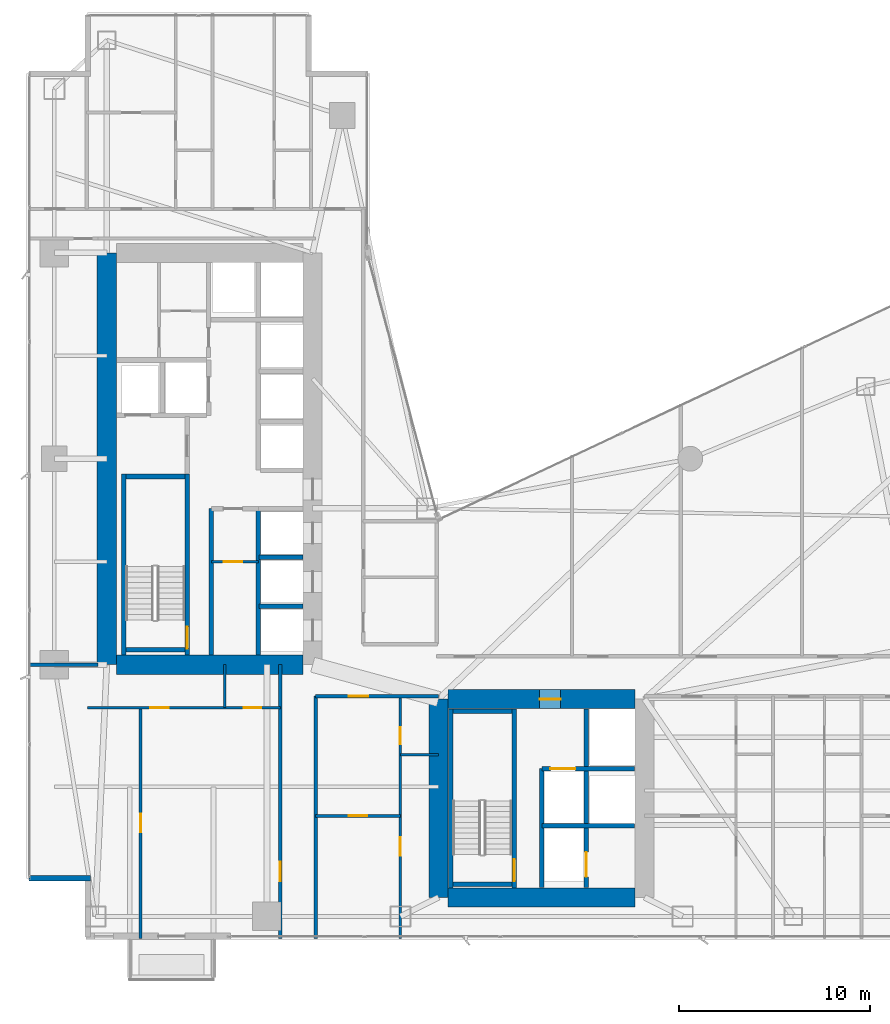
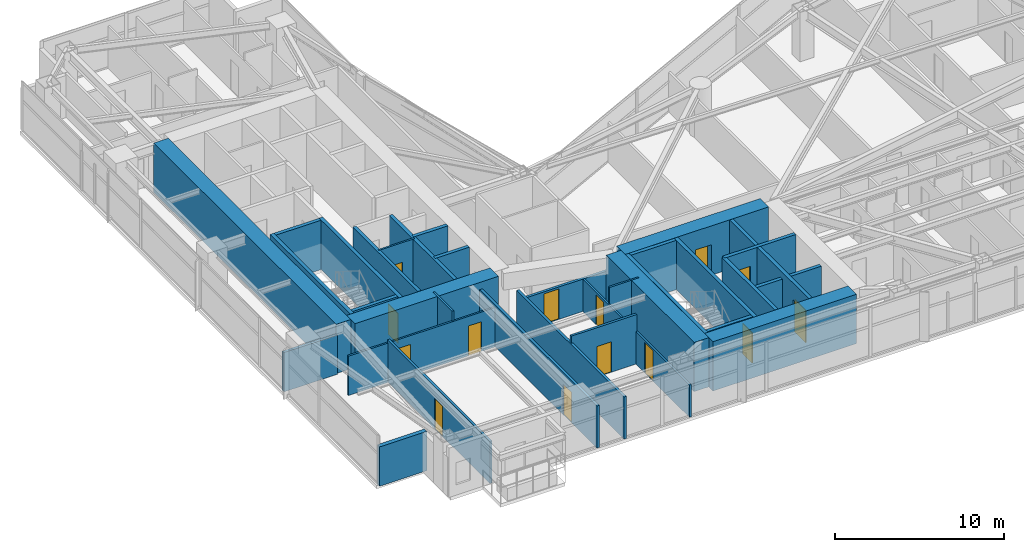
# One storey, part 22 of 30: 33 walls, 14 doors, 14 openings.
"""IFC4 building model written with IfcOpenShell, lengths in metres."""

from ifc_helpers import new_model, si_unit, direction, frame, frame_2d, origin, place, context, subcontext, project, spatial, rectangle, extrude, material, layer, layer_set, type_object, element, fill, save


model = new_model("IFC4")

# Units and contexts
model_context = context("Model", 3, precision=1e-05, world=origin(), true_north=direction((0.0, 1.0)))
body_context = subcontext(model_context, "Body", "Model", "MODEL_VIEW")
ifc_project = project(units=[si_unit("LENGTHUNIT", "METRE"), si_unit("AREAUNIT", "SQUARE_METRE"), si_unit("VOLUMEUNIT", "CUBIC_METRE"), si_unit("PLANEANGLEUNIT", "RADIAN"), si_unit("MASSUNIT", "GRAM", prefix="KILO")], contexts=[model_context])

# Site, building, storey
site_placement = place(None, origin())
site = spatial("IfcSite", under=ifc_project, at=site_placement, CompositionType="ELEMENT")
building_placement = place(site_placement, origin())
building = spatial("IfcBuilding", under=site, at=building_placement, Name="Calvorn Quay Hotel", CompositionType="ELEMENT")
storey_placement = place(building_placement, frame((0.0, 0.0, 50.800048828125)))
storey = spatial("IfcBuildingStorey", under=building, at=storey_placement, Name="L11", CompositionType="ELEMENT", Elevation=50.800048828125)

# Walls
ifc_material_1 = material(Name="Concrete C60", Category="concrete")
ifc_layer_1 = layer(ifc_material_1, 1.0)
ifc_layer_set_1 = layer_set([ifc_layer_1], Name="WL-CORE-1000")
wall_type_1 = type_object("IfcWallType", Name="WL-CORE-1000", PredefinedType="SHEAR", material=ifc_layer_set_1)
wall_1_placement = place(storey_placement, frame((4.199951171875, 16.800048828125, 0.0), z_axis=(0.0, 0.0, 1.0), x_axis=(0.0, 1.0, 0.0)))
element("IfcWall", 1, at=wall_1_placement, inside=storey, type_object=wall_type_1, Name="West Core Shear Wall W (L11)", PredefinedType="SHEAR", context=body_context, shape_type="SweptSolid", body=[
    extrude(rectangle(XDim=21.599853515625, YDim=1.0, at=frame_2d((10.7998046875, 0.0))), origin(), (0.0, 0.0, 1.0), 3.56005859375),
])
wall_2_placement = place(storey_placement, frame((4.699951171875, 16.800048828125, 0.0), z_axis=(0.0, 0.0, 1.0), x_axis=(1.0, 0.0, 0.0)))
element("IfcWall", 2, at=wall_2_placement, inside=storey, type_object=wall_type_1, Name="West Core Shear Wall S (L11)", PredefinedType="SHEAR", context=body_context, shape_type="SweptSolid", body=[
    extrude(rectangle(XDim=9.800048828125, YDim=1.0, at=frame_2d((4.89990234375, 0.0))), origin(), (0.0, 0.0, 1.0), 3.56005859375),
])
wall_3_placement = place(storey_placement, frame((21.60009765625, 4.60009765625, 0.0), z_axis=(0.0, 0.0, 1.0), x_axis=(0.0, 1.0, 0.0)))
element("IfcWall", 3, at=wall_3_placement, inside=storey, type_object=wall_type_1, Name="East Core Shear Wall W (L11)", PredefinedType="SHEAR", context=body_context, shape_type="SweptSolid", body=[
    extrude(rectangle(XDim=10.39990234375, YDim=1.0, at=frame_2d((5.199951171875, 0.0))), origin(), (0.0, 0.0, 1.0), 3.56005859375),
])

# Wall, opening, door
wall_4_placement = place(storey_placement, frame((22.10009765625, 15.0, 0.0), z_axis=(0.0, 0.0, 1.0), x_axis=(1.0, 0.0, 0.0)))
wall_4 = element("IfcWall", 4, at=wall_4_placement, inside=storey, type_object=wall_type_1, Name="East Core Shear Wall N (L11)", PredefinedType="SHEAR", context=body_context, shape_type="SweptSolid", body=[
    extrude(rectangle(XDim=9.7998046875, YDim=1.0, at=frame_2d((4.89990234375, 0.0))), origin(), (0.0, 0.0, 1.0), 3.56005859375),
])
opening_1_placement = place(wall_4_placement, frame((4.800048828125, 0.0, 0.0)))
opening_1 = element("IfcOpeningElement", 5, at=opening_1_placement, cuts=wall_4, Name="Opening D-L11-FLE", PredefinedType="OPENING", context=body_context, shape_type="SweptSolid", body=[
    extrude(rectangle(XDim=1.10009765625, YDim=2.199951171875, at=frame_2d((0.550048828125, 1.10009765625))), frame((0.0, 0.510009765625, 0.0), z_axis=(0.0, -1.0, 0.0), x_axis=(1.0, 0.0, 0.0)), (0.0, 0.0, 1.0), 1.02001953125),
])
ifc_material_2 = material(Name="Smoke-Sealed Steel Class A Fire Door", Category="steel")
door_type_1 = type_object("IfcDoorType", Name="DR-FFLOBBY-1100", OperationType="NOTDEFINED", PredefinedType="DOOR", material=ifc_material_2)
door_1_placement = place(opening_1_placement, origin())
door_1 = element("IfcDoor", 6, at=door_1_placement, inside=storey, type_object=door_type_1, Name="East Firefighting Lobby Fire Door (L11)", OperationType="SINGLE_SWING_LEFT", OverallHeight=2.199951171875, OverallWidth=1.10009765625, PredefinedType="DOOR", context=body_context, shape_type="SweptSolid", body=[
    extrude(rectangle(XDim=1.10009765625, YDim=2.199951171875, at=frame_2d((0.550048828125, 1.10009765625))), frame((0.0, 0.02490234375, 0.0), z_axis=(0.0, -1.0, 0.0), x_axis=(1.0, 0.0, 0.0)), (0.0, 0.0, 1.0), 0.050048828125),
])
fill(opening_1, door_1)

# Walls
wall_5_placement = place(storey_placement, frame((22.10009765625, 4.60009765625, 0.0), z_axis=(0.0, 0.0, 1.0), x_axis=(1.0, 0.0, 0.0)))
element("IfcWall", 7, at=wall_5_placement, inside=storey, type_object=wall_type_1, Name="East Core Shear Wall S (L11)", PredefinedType="SHEAR", context=body_context, shape_type="SweptSolid", body=[
    extrude(rectangle(XDim=9.7998046875, YDim=1.0, at=frame_2d((4.89990234375, 0.0))), origin(), (0.0, 0.0, 1.0), 3.56005859375),
])
ifc_material_3 = material(Name="Acoustic Fireboard Steel-Stud Partition", Category="steel")
ifc_layer_2 = layer(ifc_material_3, 0.179931640625)
ifc_layer_set_2 = layer_set([ifc_layer_2], Name="WL-CORR-FIRE-180")
wall_type_2 = type_object("IfcWallType", Name="WL-CORR-FIRE-180", PredefinedType="PARTITIONING", material=ifc_layer_set_2)
wall_6_placement = place(storey_placement, frame((0.080078125, 16.800048828125, 0.0), z_axis=(0.0, 0.0, 1.0), x_axis=(1.0, 0.0, 0.0)))
element("IfcWall", 8, at=wall_6_placement, inside=storey, type_object=wall_type_2, Name="Partition Wall L11-WL-WBAY-S-WALL", PredefinedType="PARTITIONING", context=body_context, shape_type="SweptSolid", body=[
    extrude(rectangle(XDim=3.64990234375, YDim=0.179931640625, at=frame_2d((1.824951171875, 0.0))), origin(), (0.0, 0.0, 1.0), 2.83984375),
])

# Wall, opening, door
wall_7_placement = place(storey_placement, frame((13.300048828125, 2.43994140625, 0.0), z_axis=(0.0, 0.0, 1.0), x_axis=(0.0, 1.0, 0.0)))
wall_7 = element("IfcWall", 9, at=wall_7_placement, inside=storey, type_object=wall_type_2, Name="Partition Wall L11-WL-CORR-SW-LEG-W", PredefinedType="PARTITIONING", context=body_context, shape_type="SweptSolid", body=[
    extrude(rectangle(XDim=14.360107421875, YDim=0.179931640625, at=frame_2d((7.18017578125, 0.0))), origin(), (0.0, 0.0, 1.0), 3.0400390625),
])
opening_2_placement = place(wall_7_placement, frame((3.010009765625, 0.0, 0.0)))
opening_2 = element("IfcOpeningElement", 10, at=opening_2_placement, cuts=wall_7, Name="Opening D-L11-U01", PredefinedType="OPENING", context=body_context, shape_type="SweptSolid", body=[
    extrude(rectangle(XDim=1.02001953125, YDim=2.199951171875, at=frame_2d((0.510009765625, 1.10009765625))), frame((0.0, 0.099853515625, 0.0), z_axis=(0.0, -1.0, 0.0), x_axis=(1.0, 0.0, 0.0)), (0.0, 0.0, 1.0), 0.199951171875),
])
ifc_material_4 = material(Name="Solid-Core Walnut Veneer Hotel Fire Door")
door_type_2 = type_object("IfcDoorType", Name="DR-GUEST-ENTRY-1020", OperationType="NOTDEFINED", PredefinedType="DOOR", material=ifc_material_4)
door_2_placement = place(opening_2_placement, origin())
door_2 = element("IfcDoor", 11, at=door_2_placement, inside=storey, type_object=door_type_2, Name="South-West Unit Door U01 (L11)", OperationType="SINGLE_SWING_LEFT", OverallHeight=2.199951171875, OverallWidth=1.02001953125, PredefinedType="DOOR", context=body_context, shape_type="SweptSolid", body=[
    extrude(rectangle(XDim=1.02001953125, YDim=2.199951171875, at=frame_2d((0.510009765625, 1.10009765625))), frame((0.0, 0.02490234375, 0.0), z_axis=(0.0, -1.0, 0.0), x_axis=(1.0, 0.0, 0.0)), (0.0, 0.0, 1.0), 0.050048828125),
])
fill(opening_2, door_2)

# Wall
wall_8_placement = place(storey_placement, frame((15.14990234375, 2.43994140625, 0.0), z_axis=(0.0, 0.0, 1.0), x_axis=(0.0, 1.0, 0.0)))
element("IfcWall", 12, at=wall_8_placement, inside=storey, type_object=wall_type_2, Name="Partition Wall L11-WL-CORR-SW-W", PredefinedType="PARTITIONING", context=body_context, shape_type="SweptSolid", body=[
    extrude(rectangle(XDim=12.7099609375, YDim=0.179931640625, at=frame_2d((6.35498046875, 0.0))), origin(), (0.0, 0.0, 1.0), 3.0400390625),
])

# Wall, opening, door
wall_9_placement = place(storey_placement, frame((15.14990234375, 15.14990234375, 0.0), z_axis=(0.0, 0.0, 1.0), x_axis=(1.0, 0.0, 0.0)))
wall_9 = element("IfcWall", 13, at=wall_9_placement, inside=storey, type_object=wall_type_2, Name="Partition Wall L11-WL-SC-CORR-S", PredefinedType="PARTITIONING", context=body_context, shape_type="SweptSolid", body=[
    extrude(rectangle(XDim=6.4501953125, YDim=0.179931640625, at=frame_2d((3.22509765625, 0.0))), origin(), (0.0, 0.0, 1.0), 2.33984375),
])
opening_3_placement = place(wall_9_placement, frame((1.739990234375, 0.0, 0.0)))
opening_3 = element("IfcOpeningElement", 14, at=opening_3_placement, cuts=wall_9, Name="Opening D-L11-U02", PredefinedType="OPENING", context=body_context, shape_type="SweptSolid", body=[
    extrude(rectangle(XDim=1.02001953125, YDim=2.199951171875, at=frame_2d((0.510009765625, 1.10009765625))), frame((0.0, 0.099853515625, 0.0), z_axis=(0.0, -1.0, 0.0), x_axis=(1.0, 0.0, 0.0)), (0.0, 0.0, 1.0), 0.199951171875),
])
door_3_placement = place(opening_3_placement, origin())
door_3 = element("IfcDoor", 15, at=door_3_placement, inside=storey, type_object=door_type_2, Name="Harbour Central Unit Door (L11)", OperationType="SINGLE_SWING_LEFT", OverallHeight=2.199951171875, OverallWidth=1.02001953125, PredefinedType="DOOR", context=body_context, shape_type="SweptSolid", body=[
    extrude(rectangle(XDim=1.02001953125, YDim=2.199951171875, at=frame_2d((0.510009765625, 1.10009765625))), frame((0.0, 0.02490234375, 0.0), z_axis=(0.0, -1.0, 0.0), x_axis=(1.0, 0.0, 0.0)), (0.0, 0.0, 1.0), 0.050048828125),
])
fill(opening_3, door_3)

ifc_material_5 = material(Name="Moisture-Resistant Tile-Backed Partition")
ifc_layer_3 = layer(ifc_material_5, 0.125)
ifc_layer_set_3 = layer_set([ifc_layer_3], Name="WL-ENSUITE-125")
wall_type_3 = type_object("IfcWallType", Name="WL-ENSUITE-125", PredefinedType="PARTITIONING", material=ifc_layer_set_3)
wall_10_placement = place(storey_placement, frame((9.679931640625, 22.199951171875, 0.0), z_axis=(0.0, 0.0, 1.0), x_axis=(1.0, 0.0, 0.0)))
wall_10 = element("IfcWall", 16, at=wall_10_placement, inside=storey, type_object=wall_type_3, Name="Partition Wall L11-WL-CWW-SER-V", PredefinedType="PARTITIONING", context=body_context, shape_type="SweptSolid", body=[
    extrude(rectangle(XDim=2.469970703125, YDim=0.125, at=frame_2d((1.23486328125, 0.0))), origin(), (0.0, 0.0, 1.0), 3.56005859375),
])
opening_4_placement = place(wall_10_placement, frame((0.64990234375, 0.0, 0.0)))
opening_4 = element("IfcOpeningElement", 17, at=opening_4_placement, cuts=wall_10, Name="Opening D-L11-CSV", PredefinedType="OPENING", context=body_context, shape_type="SweptSolid", body=[
    extrude(rectangle(XDim=0.97998046875, YDim=2.14990234375, at=frame_2d((0.489990234375, 1.074951171875))), frame((0.0, 0.072509765625, 0.0), z_axis=(0.0, -1.0, 0.0), x_axis=(1.0, 0.0, 0.0)), (0.0, 0.0, 1.0), 0.14501953125),
])
ifc_material_6 = material(Name="Painted Steel Housekeeping/Riser Fire Door", Category="steel")
door_type_3 = type_object("IfcDoorType", Name="DR-SERVICE-980", OperationType="NOTDEFINED", PredefinedType="DOOR", material=ifc_material_6)
door_4_placement = place(opening_4_placement, origin())
door_4 = element("IfcDoor", 18, at=door_4_placement, inside=storey, type_object=door_type_3, Name="Core Linen Closet Door (L11)", OperationType="SINGLE_SWING_RIGHT", OverallHeight=2.14990234375, OverallWidth=0.97998046875, PredefinedType="DOOR", context=body_context, shape_type="SweptSolid", body=[
    extrude(rectangle(XDim=0.97998046875, YDim=2.14990234375, at=frame_2d((0.489990234375, 1.074951171875))), frame((0.0, 0.02490234375, 0.0), z_axis=(0.0, -1.0, 0.0), x_axis=(1.0, 0.0, 0.0)), (0.0, 0.0, 1.0), 0.050048828125),
])
fill(opening_4, door_4)

# Wall
wall_11_placement = place(storey_placement, frame((10.3798828125, 14.550048828125, 0.0), z_axis=(0.0, 0.0, 1.0), x_axis=(0.0, 1.0, 0.0)))
element("IfcWall", 19, at=wall_11_placement, inside=storey, type_object=wall_type_3, Name="Partition Wall L11-WL-U01-BDV", PredefinedType="PARTITIONING", context=body_context, shape_type="SweptSolid", body=[
    extrude(rectangle(XDim=2.25, YDim=0.125, at=frame_2d((1.125, 0.0))), origin(), (0.0, 0.0, 1.0), 3.56005859375),
])

# Wall, openings, doors
wall_12_placement = place(storey_placement, frame((3.199951171875, 14.550048828125, 0.0), z_axis=(0.0, 0.0, 1.0), x_axis=(1.0, 0.0, 0.0)))
wall_12 = element("IfcWall", 20, at=wall_12_placement, inside=storey, type_object=wall_type_3, Name="Partition Wall L11-WL-U01-BH", PredefinedType="PARTITIONING", context=body_context, shape_type="SweptSolid", body=[
    extrude(rectangle(XDim=10.10009765625, YDim=0.125, at=frame_2d((5.050048828125, 0.0))), origin(), (0.0, 0.0, 1.0), 2.83984375),
])
opening_5_placement = place(wall_12_placement, frame((3.2900390625, 0.0, 0.0)))
opening_5 = element("IfcOpeningElement", 21, at=opening_5_placement, cuts=wall_12, Name="Opening D-L11-S01", PredefinedType="OPENING", context=body_context, shape_type="SweptSolid", body=[
    extrude(rectangle(XDim=0.9599609375, YDim=2.199951171875, at=frame_2d((0.47998046875, 1.10009765625))), frame((0.0, 0.072509765625, 0.0), z_axis=(0.0, -1.0, 0.0), x_axis=(1.0, 0.0, 0.0)), (0.0, 0.0, 1.0), 0.14501953125),
])
opening_6_placement = place(wall_12_placement, frame((8.18994140625, 0.0, 0.0)))
opening_6 = element("IfcOpeningElement", 22, at=opening_6_placement, cuts=wall_12, Name="Opening D-L11-E01", PredefinedType="OPENING", context=body_context, shape_type="SweptSolid", body=[
    extrude(rectangle(XDim=0.89990234375, YDim=2.14990234375, at=frame_2d((0.449951171875, 1.074951171875))), frame((0.0, 0.072509765625, 0.0), z_axis=(0.0, -1.0, 0.0), x_axis=(1.0, 0.0, 0.0)), (0.0, 0.0, 1.0), 0.14501953125),
])
ifc_material_7 = material(Name="Moisture-Sealed Timber En-Suite Door", Category="wood")
door_type_4 = type_object("IfcDoorType", Name="DR-ENSUITE-900", OperationType="NOTDEFINED", PredefinedType="DOOR", material=ifc_material_7)
door_5_placement = place(opening_6_placement, origin())
door_5 = element("IfcDoor", 23, at=door_5_placement, inside=storey, type_object=door_type_4, Name="En-Suite Door 01", OperationType="SINGLE_SWING_RIGHT", OverallHeight=2.14990234375, OverallWidth=0.89990234375, PredefinedType="DOOR", context=body_context, shape_type="SweptSolid", body=[
    extrude(rectangle(XDim=0.89990234375, YDim=2.14990234375, at=frame_2d((0.449951171875, 1.074951171875))), frame((0.0, 0.02490234375, 0.0), z_axis=(0.0, -1.0, 0.0), x_axis=(1.0, 0.0, 0.0)), (0.0, 0.0, 1.0), 0.050048828125),
])
fill(opening_6, door_5)
ifc_material_8 = material(Name="Solid Timber Internal Suite Door", Category="wood")
door_type_5 = type_object("IfcDoorType", Name="DR-SUITE-INT-960", OperationType="NOTDEFINED", PredefinedType="DOOR", material=ifc_material_8)
door_6_placement = place(opening_5_placement, origin())
door_6 = element("IfcDoor", 24, at=door_6_placement, inside=storey, type_object=door_type_5, Name="Executive Work Office Door 01", OperationType="SINGLE_SWING_LEFT", OverallHeight=2.199951171875, OverallWidth=0.9599609375, PredefinedType="DOOR", context=body_context, shape_type="SweptSolid", body=[
    extrude(rectangle(XDim=0.9599609375, YDim=2.199951171875, at=frame_2d((0.47998046875, 1.10009765625))), frame((0.0, 0.02490234375, 0.0), z_axis=(0.0, -1.0, 0.0), x_axis=(1.0, 0.0, 0.0)), (0.0, 0.0, 1.0), 0.050048828125),
])
fill(opening_5, door_6)

# Wall
wall_13_placement = place(storey_placement, frame((19.60009765625, 12.070068359375, 0.0), z_axis=(0.0, 0.0, 1.0), x_axis=(1.0, 0.0, 0.0)))
element("IfcWall", 25, at=wall_13_placement, inside=storey, type_object=wall_type_3, Name="Partition Wall L11-WL-U02-BDV", PredefinedType="PARTITIONING", context=body_context, shape_type="SweptSolid", body=[
    extrude(rectangle(XDim=2.0, YDim=0.125, at=frame_2d((1.0, 0.0))), origin(), (0.0, 0.0, 1.0), 3.56005859375),
])

# Wall, openings, doors
wall_14_placement = place(storey_placement, frame((19.60009765625, 2.43994140625, 0.0), z_axis=(0.0, 0.0, 1.0), x_axis=(0.0, 1.0, 0.0)))
wall_14 = element("IfcWall", 26, at=wall_14_placement, inside=storey, type_object=wall_type_3, Name="Partition Wall L11-WL-U02-BV", PredefinedType="PARTITIONING", context=body_context, shape_type="SweptSolid", body=[
    extrude(rectangle(XDim=12.7099609375, YDim=0.125, at=frame_2d((6.35498046875, 0.0))), origin(), (0.0, 0.0, 1.0), 2.33984375),
])
opening_7_placement = place(wall_14_placement, frame((4.340087890625, 0.0, 0.0)))
opening_7 = element("IfcOpeningElement", 27, at=opening_7_placement, cuts=wall_14, Name="Opening D-L11-S02", PredefinedType="OPENING", context=body_context, shape_type="SweptSolid", body=[
    extrude(rectangle(XDim=0.9599609375, YDim=2.199951171875, at=frame_2d((0.47998046875, 1.10009765625))), frame((0.0, 0.072509765625, 0.0), z_axis=(0.0, -1.0, 0.0), x_axis=(1.0, 0.0, 0.0)), (0.0, 0.0, 1.0), 0.14501953125),
])
opening_8_placement = place(wall_14_placement, frame((10.179931640625, 0.0, 0.0)))
opening_8 = element("IfcOpeningElement", 28, at=opening_8_placement, cuts=wall_14, Name="Opening D-L11-E02", PredefinedType="OPENING", context=body_context, shape_type="SweptSolid", body=[
    extrude(rectangle(XDim=0.89990234375, YDim=2.14990234375, at=frame_2d((0.449951171875, 1.074951171875))), frame((0.0, 0.072509765625, 0.0), z_axis=(0.0, -1.0, 0.0), x_axis=(1.0, 0.0, 0.0)), (0.0, 0.0, 1.0), 0.14501953125),
])
door_7_placement = place(opening_8_placement, origin())
door_7 = element("IfcDoor", 29, at=door_7_placement, inside=storey, type_object=door_type_4, Name="En-Suite Door 02", OperationType="SINGLE_SWING_RIGHT", OverallHeight=2.14990234375, OverallWidth=0.89990234375, PredefinedType="DOOR", context=body_context, shape_type="SweptSolid", body=[
    extrude(rectangle(XDim=0.89990234375, YDim=2.14990234375, at=frame_2d((0.449951171875, 1.074951171875))), frame((0.0, 0.02490234375, 0.0), z_axis=(0.0, -1.0, 0.0), x_axis=(1.0, 0.0, 0.0)), (0.0, 0.0, 1.0), 0.050048828125),
])
fill(opening_8, door_7)
door_8_placement = place(opening_7_placement, origin())
door_8 = element("IfcDoor", 30, at=door_8_placement, inside=storey, type_object=door_type_5, Name="Executive Work Office Door 02", OperationType="SINGLE_SWING_LEFT", OverallHeight=2.199951171875, OverallWidth=0.9599609375, PredefinedType="DOOR", context=body_context, shape_type="SweptSolid", body=[
    extrude(rectangle(XDim=0.9599609375, YDim=2.199951171875, at=frame_2d((0.47998046875, 1.10009765625))), frame((0.0, 0.02490234375, 0.0), z_axis=(0.0, -1.0, 0.0), x_axis=(1.0, 0.0, 0.0)), (0.0, 0.0, 1.0), 0.050048828125),
])
fill(opening_7, door_8)

# Wall
ifc_material_9 = material(Name="Concrete C40", Category="concrete")
ifc_layer_4 = layer(ifc_material_9, 0.320068359375)
ifc_layer_set_4 = layer_set([ifc_layer_4], Name="WL-EXT-SPANDREL-320")
wall_type_4 = type_object("IfcWallType", Name="WL-EXT-SPANDREL-320", PredefinedType="SOLIDWALL", material=ifc_layer_set_4)
wall_15_placement = place(storey_placement, frame((0.1201171875, 5.60009765625, 0.0), z_axis=(0.0, 0.0, 1.0), x_axis=(1.0, 0.0, 0.0)))
element("IfcWall", 31, at=wall_15_placement, inside=storey, type_object=wall_type_4, Name="Notched Corner Spandrel L11-SW1", PredefinedType="SOLIDWALL", context=body_context, shape_type="SweptSolid", body=[
    extrude(rectangle(XDim=3.219970703125, YDim=0.280029296875, at=frame_2d((1.60986328125, 0.0))), origin(), (0.0, 0.0, 1.0), 2.83984375),
])

# Wall, opening, door
ifc_material_10 = material(Name="Double-Stud Acoustic Gypsum Partition")
ifc_layer_5 = layer(ifc_material_10, 0.159912109375)
ifc_layer_set_5 = layer_set([ifc_layer_5], Name="WL-INTERSUITE-160")
wall_type_5 = type_object("IfcWallType", Name="WL-INTERSUITE-160", PredefinedType="PARTITIONING", material=ifc_layer_set_5)
wall_16_placement = place(storey_placement, frame((5.97998046875, 2.43994140625, 0.0), z_axis=(0.0, 0.0, 1.0), x_axis=(0.0, 1.0, 0.0)))
wall_16 = element("IfcWall", 32, at=wall_16_placement, inside=storey, type_object=wall_type_5, Name="Partition Wall L11-WL-U01-MSP", PredefinedType="PARTITIONING", context=body_context, shape_type="SweptSolid", body=[
    extrude(rectangle(XDim=12.110107421875, YDim=0.159912109375, at=frame_2d((6.05517578125, 0.0))), origin(), (0.0, 0.0, 1.0), 3.0400390625),
])
opening_9_placement = place(wall_16_placement, frame((5.580078125, 0.0, 0.0)))
opening_9 = element("IfcOpeningElement", 33, at=opening_9_placement, cuts=wall_16, Name="Opening D-L11-M01", PredefinedType="OPENING", context=body_context, shape_type="SweptSolid", body=[
    extrude(rectangle(XDim=0.9599609375, YDim=2.199951171875, at=frame_2d((0.47998046875, 1.10009765625))), frame((0.0, 0.08984375, 0.0), z_axis=(0.0, -1.0, 0.0), x_axis=(1.0, 0.0, 0.0)), (0.0, 0.0, 1.0), 0.179931640625),
])
door_9_placement = place(opening_9_placement, origin())
door_9 = element("IfcDoor", 34, at=door_9_placement, inside=storey, type_object=door_type_5, Name="Suite Bedroom Door 01", OperationType="SINGLE_SWING_LEFT", OverallHeight=2.199951171875, OverallWidth=0.9599609375, PredefinedType="DOOR", context=body_context, shape_type="SweptSolid", body=[
    extrude(rectangle(XDim=0.9599609375, YDim=2.199951171875, at=frame_2d((0.47998046875, 1.10009765625))), frame((0.0, 0.02490234375, 0.0), z_axis=(0.0, -1.0, 0.0), x_axis=(1.0, 0.0, 0.0)), (0.0, 0.0, 1.0), 0.050048828125),
])
fill(opening_9, door_9)

wall_17_placement = place(storey_placement, frame((15.14990234375, 8.8701171875, 0.0), z_axis=(0.0, 0.0, 1.0), x_axis=(1.0, 0.0, 0.0)))
wall_17 = element("IfcWall", 35, at=wall_17_placement, inside=storey, type_object=wall_type_5, Name="Partition Wall L11-WL-U02-MSP", PredefinedType="PARTITIONING", context=body_context, shape_type="SweptSolid", body=[
    extrude(rectangle(XDim=4.4501953125, YDim=0.159912109375, at=frame_2d((2.22509765625, 0.0))), origin(), (0.0, 0.0, 1.0), 3.56005859375),
])
opening_10_placement = place(wall_17_placement, frame((1.75, 0.0, 0.0)))
opening_10 = element("IfcOpeningElement", 36, at=opening_10_placement, cuts=wall_17, Name="Opening D-L11-M02", PredefinedType="OPENING", context=body_context, shape_type="SweptSolid", body=[
    extrude(rectangle(XDim=0.9599609375, YDim=2.199951171875, at=frame_2d((0.47998046875, 1.10009765625))), frame((0.0, 0.08984375, 0.0), z_axis=(0.0, -1.0, 0.0), x_axis=(1.0, 0.0, 0.0)), (0.0, 0.0, 1.0), 0.179931640625),
])
door_10_placement = place(opening_10_placement, origin())
door_10 = element("IfcDoor", 37, at=door_10_placement, inside=storey, type_object=door_type_5, Name="Suite Bedroom Door 02", OperationType="SINGLE_SWING_LEFT", OverallHeight=2.199951171875, OverallWidth=0.9599609375, PredefinedType="DOOR", context=body_context, shape_type="SweptSolid", body=[
    extrude(rectangle(XDim=0.9599609375, YDim=2.199951171875, at=frame_2d((0.47998046875, 1.10009765625))), frame((0.0, 0.02490234375, 0.0), z_axis=(0.0, -1.0, 0.0), x_axis=(1.0, 0.0, 0.0)), (0.0, 0.0, 1.0), 0.050048828125),
])
fill(opening_10, door_10)

# Walls
ifc_material_11 = material(Name="Autoclaved Aerated Masonry Block", Category="masonry")
ifc_layer_6 = layer(ifc_material_11, 0.219970703125)
ifc_layer_set_6 = layer_set([ifc_layer_6], Name="WL-LOBBY-FIRE-220")
wall_type_6 = type_object("IfcWallType", Name="WL-LOBBY-FIRE-220", PredefinedType="SOLIDWALL", material=ifc_layer_set_6)
wall_18_placement = place(storey_placement, frame((9.679931640625, 17.320068359375, 0.0), z_axis=(0.0, 0.0, 1.0), x_axis=(0.0, 1.0, 0.0)))
element("IfcWall", 38, at=wall_18_placement, inside=storey, type_object=wall_type_6, Name="Partition Wall L11-WL-CWW-STW-HALL-E", PredefinedType="SOLIDWALL", context=body_context, shape_type="SweptSolid", body=[
    extrude(rectangle(XDim=7.679931640625, YDim=0.219970703125, at=frame_2d((3.83984375, 0.0))), origin(), (0.0, 0.0, 1.0), 3.56005859375),
])
ifc_material_12 = material(Name="Concrete C40", Category="concrete")
ifc_layer_7 = layer(ifc_material_12, 0.239990234375)
ifc_layer_set_7 = layer_set([ifc_layer_7], Name="WL-SHAFT-240")
wall_type_7 = type_object("IfcWallType", Name="WL-SHAFT-240", PredefinedType="SOLIDWALL", material=ifc_layer_set_7)
wall_19_placement = place(storey_placement, frame((5.080078125, 17.300048828125, 0.0), z_axis=(0.0, 0.0, 1.0), x_axis=(0.0, 1.0, 0.0)))
element("IfcWall", 39, at=wall_19_placement, inside=storey, type_object=wall_type_7, Name="Stair STW Shaft Wall W (L11)", PredefinedType="SOLIDWALL", context=body_context, shape_type="SweptSolid", body=[
    extrude(rectangle(XDim=9.489990234375, YDim=0.239990234375, at=frame_2d((4.7451171875, 0.0))), origin(), (0.0, 0.0, 1.0), 3.56005859375),
])

# Wall, opening, door
wall_20_placement = place(storey_placement, frame((8.419921875, 17.300048828125, 0.0), z_axis=(0.0, 0.0, 1.0), x_axis=(0.0, 1.0, 0.0)))
wall_20 = element("IfcWall", 40, at=wall_20_placement, inside=storey, type_object=wall_type_7, Name="Stair STW Shaft Wall E (L11)", PredefinedType="SOLIDWALL", context=body_context, shape_type="SweptSolid", body=[
    extrude(rectangle(XDim=9.489990234375, YDim=0.239990234375, at=frame_2d((4.7451171875, 0.0))), origin(), (0.0, 0.0, 1.0), 3.56005859375),
])
opening_11_placement = place(wall_20_placement, frame((0.35009765625, 0.0, 0.0)))
opening_11 = element("IfcOpeningElement", 41, at=opening_11_placement, cuts=wall_20, Name="Opening D-L11-STW", PredefinedType="OPENING", context=body_context, shape_type="SweptSolid", body=[
    extrude(rectangle(XDim=1.14990234375, YDim=2.199951171875, at=frame_2d((0.574951171875, 1.10009765625))), frame((0.0, 0.1298828125, 0.0), z_axis=(0.0, -1.0, 0.0), x_axis=(1.0, 0.0, 0.0)), (0.0, 0.0, 1.0), 0.260009765625),
])
ifc_material_13 = material(Name="Galvanised Steel Class A Fire Door", Category="steel")
door_type_6 = type_object("IfcDoorType", Name="DR-STAIR-SMOKE-1150", OperationType="NOTDEFINED", PredefinedType="DOOR", material=ifc_material_13)
door_11_placement = place(opening_11_placement, origin())
door_11 = element("IfcDoor", 42, at=door_11_placement, inside=storey, type_object=door_type_6, Name="Stair ST-W Fire Door (L11)", OperationType="SINGLE_SWING_LEFT", OverallHeight=2.199951171875, OverallWidth=1.14990234375, PredefinedType="DOOR", context=body_context, shape_type="SweptSolid", body=[
    extrude(rectangle(XDim=1.14990234375, YDim=2.199951171875, at=frame_2d((0.574951171875, 1.10009765625))), frame((0.0, 0.02490234375, 0.0), z_axis=(0.0, -1.0, 0.0), x_axis=(1.0, 0.0, 0.0)), (0.0, 0.0, 1.0), 0.050048828125),
])
fill(opening_11, door_11)

# Walls
for number, where, z_axis, x_axis, name in (
    (43, (5.199951171875, 17.580078125, 0.0), (0.0, 0.0, 1.0), (1.0, 0.0, 0.0), "Stair STW Shaft Wall S (L11)"),
    (44, (5.199951171875, 26.669921875, 0.0), (0.0, 0.0, 1.0), (1.0, 0.0, 0.0), "Stair STW Shaft Wall N (L11)"),
):
    element("IfcWall", number, at=place(storey_placement, frame(where, z_axis=z_axis, x_axis=x_axis)), inside=storey, type_object=wall_type_7, Name=name, PredefinedType="SOLIDWALL", context=body_context, shape_type="SweptSolid", body=[
        extrude(rectangle(XDim=3.10009765625, YDim=0.239990234375, at=frame_2d((1.550048828125, 0.0))), origin(), (0.0, 0.0, 1.0), 3.56005859375),
    ])
wall_21_placement = place(storey_placement, frame((22.22998046875, 5.10009765625, 0.0), z_axis=(0.0, 0.0, 1.0), x_axis=(0.0, 1.0, 0.0)))
element("IfcWall", 45, at=wall_21_placement, inside=storey, type_object=wall_type_7, Name="Stair STE Shaft Wall W (L11)", PredefinedType="SOLIDWALL", context=body_context, shape_type="SweptSolid", body=[
    extrude(rectangle(XDim=9.389892578125, YDim=0.239990234375, at=frame_2d((4.69482421875, 0.0))), origin(), (0.0, 0.0, 1.0), 3.56005859375),
])

# Wall, opening, door
wall_22_placement = place(storey_placement, frame((25.570068359375, 5.10009765625, 0.0), z_axis=(0.0, 0.0, 1.0), x_axis=(0.0, 1.0, 0.0)))
wall_22 = element("IfcWall", 46, at=wall_22_placement, inside=storey, type_object=wall_type_7, Name="Stair STE Shaft Wall E (L11)", PredefinedType="SOLIDWALL", context=body_context, shape_type="SweptSolid", body=[
    extrude(rectangle(XDim=9.389892578125, YDim=0.239990234375, at=frame_2d((4.69482421875, 0.0))), origin(), (0.0, 0.0, 1.0), 3.56005859375),
])
opening_12_placement = place(wall_22_placement, frame((0.35009765625, 0.0, 0.0)))
opening_12 = element("IfcOpeningElement", 47, at=opening_12_placement, cuts=wall_22, Name="Opening D-L11-STE", PredefinedType="OPENING", context=body_context, shape_type="SweptSolid", body=[
    extrude(rectangle(XDim=1.14990234375, YDim=2.199951171875, at=frame_2d((0.574951171875, 1.10009765625))), frame((0.0, 0.1298828125, 0.0), z_axis=(0.0, -1.0, 0.0), x_axis=(1.0, 0.0, 0.0)), (0.0, 0.0, 1.0), 0.260009765625),
])
door_12_placement = place(opening_12_placement, origin())
door_12 = element("IfcDoor", 48, at=door_12_placement, inside=storey, type_object=door_type_6, Name="Stair ST-E Fire Door (L11)", OperationType="SINGLE_SWING_RIGHT", OverallHeight=2.199951171875, OverallWidth=1.14990234375, PredefinedType="DOOR", context=body_context, shape_type="SweptSolid", body=[
    extrude(rectangle(XDim=1.14990234375, YDim=2.199951171875, at=frame_2d((0.574951171875, 1.10009765625))), frame((0.0, 0.02490234375, 0.0), z_axis=(0.0, -1.0, 0.0), x_axis=(1.0, 0.0, 0.0)), (0.0, 0.0, 1.0), 0.050048828125),
])
fill(opening_12, door_12)

# Walls
for number, where, z_axis, x_axis, name in (
    (49, (22.35009765625, 5.280029296875, 0.0), (0.0, 0.0, 1.0), (1.0, 0.0, 0.0), "Stair STE Shaft Wall S (L11)"),
    (50, (22.35009765625, 14.3701171875, 0.0), (0.0, 0.0, 1.0), (1.0, 0.0, 0.0), "Stair STE Shaft Wall N (L11)"),
):
    element("IfcWall", number, at=place(storey_placement, frame(where, z_axis=z_axis, x_axis=x_axis)), inside=storey, type_object=wall_type_7, Name=name, PredefinedType="SOLIDWALL", context=body_context, shape_type="SweptSolid", body=[
        extrude(rectangle(XDim=3.099853515625, YDim=0.239990234375, at=frame_2d((1.5498046875, 0.0))), origin(), (0.0, 0.0, 1.0), 3.56005859375),
    ])
for number, where, z_axis, x_axis, name in (
    (51, (12.179931640625, 19.875, 0.0), (0.0, 0.0, 1.0), (1.0, 0.0, 0.0), "Lift Hoistway Divider Wall PLL12 (L11)"),
    (52, (12.179931640625, 22.425048828125, 0.0), (0.0, 0.0, 1.0), (1.0, 0.0, 0.0), "Lift Hoistway Divider Wall PLL23 (L11)"),
):
    element("IfcWall", number, at=place(storey_placement, frame(where, z_axis=z_axis, x_axis=x_axis)), inside=storey, type_object=wall_type_7, Name=name, PredefinedType="SOLIDWALL", context=body_context, shape_type="SweptSolid", body=[
        extrude(rectangle(XDim=2.320068359375, YDim=0.239990234375, at=frame_2d((1.16015625, 0.0))), origin(), (0.0, 0.0, 1.0), 3.56005859375),
    ])
wall_23_placement = place(storey_placement, frame((12.14990234375, 17.320068359375, 0.0), z_axis=(0.0, 0.0, 1.0), x_axis=(0.0, 1.0, 0.0)))
element("IfcWall", 53, at=wall_23_placement, inside=storey, type_object=wall_type_7, Name="Partition Wall L11-WL-CWW-PLL-W", PredefinedType="SOLIDWALL", context=body_context, shape_type="SweptSolid", body=[
    extrude(rectangle(XDim=7.64990234375, YDim=0.239990234375, at=frame_2d((3.824951171875, 0.0))), origin(), (0.0, 0.0, 1.0), 3.56005859375),
])
wall_24_placement = place(storey_placement, frame((27.02001953125, 5.1201171875, 0.0), z_axis=(0.0, 0.0, 1.0), x_axis=(0.0, 1.0, 0.0)))
element("IfcWall", 54, at=wall_24_placement, inside=storey, type_object=wall_type_7, Name="Partition Wall L11-WL-CWE-SH-W", PredefinedType="SOLIDWALL", context=body_context, shape_type="SweptSolid", body=[
    extrude(rectangle(XDim=6.22998046875, YDim=0.239990234375, at=frame_2d((3.114990234375, 0.0))), origin(), (0.0, 0.0, 1.0), 3.56005859375),
])

# Wall, opening, door
wall_25_placement = place(storey_placement, frame((27.02001953125, 11.35009765625, 0.0), z_axis=(0.0, 0.0, 1.0), x_axis=(1.0, 0.0, 0.0)))
wall_25 = element("IfcWall", 55, at=wall_25_placement, inside=storey, type_object=wall_type_7, Name="Partition Wall L11-WL-CWE-FFL-S", PredefinedType="SOLIDWALL", context=body_context, shape_type="SweptSolid", body=[
    extrude(rectangle(XDim=4.85986328125, YDim=0.239990234375, at=frame_2d((2.429931640625, 0.0))), origin(), (0.0, 0.0, 1.0), 3.56005859375),
])
opening_13_placement = place(wall_25_placement, frame((0.449951171875, 0.0, 0.0)))
opening_13 = element("IfcOpeningElement", 56, at=opening_13_placement, cuts=wall_25, Name="Opening LD-L11-FLE1", PredefinedType="OPENING", context=body_context, shape_type="SweptSolid", body=[
    extrude(rectangle(XDim=1.300048828125, YDim=2.35009765625, at=frame_2d((0.64990234375, 1.175048828125))), frame((0.0, 0.1298828125, 0.0), z_axis=(0.0, -1.0, 0.0), x_axis=(1.0, 0.0, 0.0)), (0.0, 0.0, 1.0), 0.260009765625),
])
ifc_material_14 = material(Name="Champagne-Bronze Sliding Express Lift Landing Door")
door_type_7 = type_object("IfcDoorType", Name="DR-LIFT-SHUTTLE-1300", OperationType="NOTDEFINED", PredefinedType="DOOR", material=ifc_material_14)
door_13_placement = place(opening_13_placement, origin())
door_13 = element("IfcDoor", 57, at=door_13_placement, inside=storey, type_object=door_type_7, Name="Firefighting Lift FL-E1 Landing Door (L11)", OperationType="DOUBLE_DOOR_SLIDING", OverallHeight=2.35009765625, OverallWidth=1.300048828125, PredefinedType="DOOR", context=body_context, shape_type="SweptSolid", body=[
    extrude(rectangle(XDim=1.300048828125, YDim=2.35009765625, at=frame_2d((0.64990234375, 1.175048828125))), frame((0.0, 0.02490234375, 0.0), z_axis=(0.0, -1.0, 0.0), x_axis=(1.0, 0.0, 0.0)), (0.0, 0.0, 1.0), 0.050048828125),
])
fill(opening_13, door_13)

# Wall
wall_26_placement = place(storey_placement, frame((27.02001953125, 8.35009765625, 0.0), z_axis=(0.0, 0.0, 1.0), x_axis=(1.0, 0.0, 0.0)))
element("IfcWall", 58, at=wall_26_placement, inside=storey, type_object=wall_type_7, Name="Partition Wall L11-WL-CWE-SL-N", PredefinedType="SOLIDWALL", context=body_context, shape_type="SweptSolid", body=[
    extrude(rectangle(XDim=4.85986328125, YDim=0.239990234375, at=frame_2d((2.429931640625, 0.0))), origin(), (0.0, 0.0, 1.0), 3.08984375),
])

# Wall, opening, door
wall_27_placement = place(storey_placement, frame((29.35009765625, 5.1201171875, 0.0), z_axis=(0.0, 0.0, 1.0), x_axis=(0.0, 1.0, 0.0)))
wall_27 = element("IfcWall", 59, at=wall_27_placement, inside=storey, type_object=wall_type_7, Name="Partition Wall L11-WL-CWE-OB-W", PredefinedType="SOLIDWALL", context=body_context, shape_type="SweptSolid", body=[
    extrude(rectangle(XDim=9.35986328125, YDim=0.239990234375, at=frame_2d((4.679931640625, 0.0))), origin(), (0.0, 0.0, 1.0), 3.56005859375),
])
opening_14_placement = place(wall_27_placement, frame((0.550048828125, 0.0, 0.0)))
opening_14 = element("IfcOpeningElement", 60, at=opening_14_placement, cuts=wall_27, Name="Opening LD-L11-SLEI", PredefinedType="OPENING", context=body_context, shape_type="SweptSolid", body=[
    extrude(rectangle(XDim=1.300048828125, YDim=2.35009765625, at=frame_2d((0.64990234375, 1.175048828125))), frame((0.0, 0.1298828125, 0.0), z_axis=(0.0, -1.0, 0.0), x_axis=(1.0, 0.0, 0.0)), (0.0, 0.0, 1.0), 0.260009765625),
])
door_14_placement = place(opening_14_placement, origin())
door_14 = element("IfcDoor", 61, at=door_14_placement, inside=storey, type_object=door_type_7, Name="Service Lift SL-E1 Landing Door (L11)", OperationType="DOUBLE_DOOR_SLIDING", OverallHeight=2.35009765625, OverallWidth=1.300048828125, PredefinedType="DOOR", context=body_context, shape_type="SweptSolid", body=[
    extrude(rectangle(XDim=1.300048828125, YDim=2.35009765625, at=frame_2d((0.64990234375, 1.175048828125))), frame((0.0, 0.02490234375, 0.0), z_axis=(0.0, -1.0, 0.0), x_axis=(1.0, 0.0, 0.0)), (0.0, 0.0, 1.0), 0.050048828125),
])
fill(opening_14, door_14)

save(model, "model.ifc")
